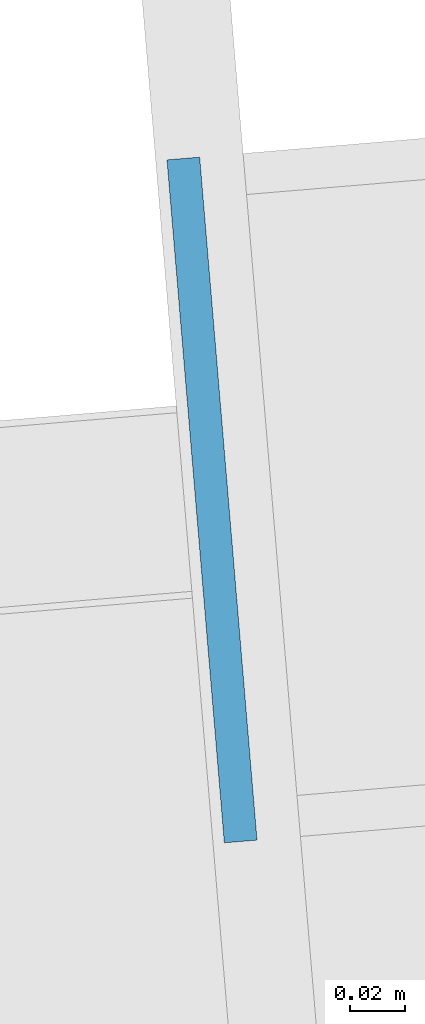
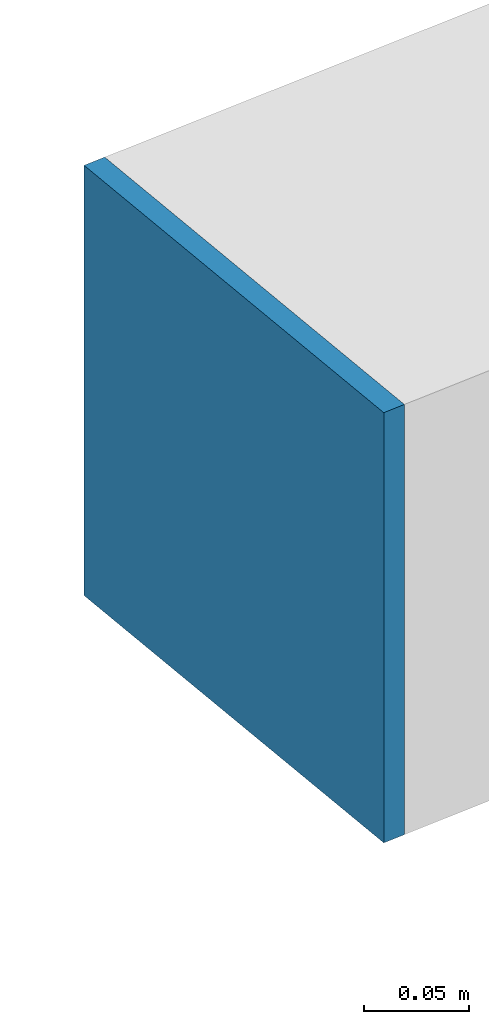
# One storey, part 29 of 37: 1 plate.
"""IFC4 building model written with IfcOpenShell, lengths in metres."""

from ifc_helpers import new_model, si_unit, direction, frame, origin, origin_2d, place, context, subcontext, project, spatial, rectangle, extrude, source, transform, mapped, material, layer, layer_set, type_object, element, save


model = new_model("IFC4")

# Units and contexts
model_context = context("Model", 3, precision=1e-05, world=origin(), true_north=direction((0.0, 1.0)))
body_context = subcontext(model_context, "Body", "Model", "MODEL_VIEW")
ifc_project = project(units=[si_unit("LENGTHUNIT", "METRE"), si_unit("AREAUNIT", "SQUARE_METRE"), si_unit("VOLUMEUNIT", "CUBIC_METRE"), si_unit("PLANEANGLEUNIT", "RADIAN"), si_unit("MASSUNIT", "GRAM", prefix="KILO")], contexts=[model_context])

# Site, building, storey
site_placement = place(None, origin())
site = spatial("IfcSite", under=ifc_project, at=site_placement, CompositionType="ELEMENT")
building_placement = place(site_placement, origin())
building = spatial("IfcBuilding", under=site, at=building_placement, Name="Taldren Reach Tower", CompositionType="ELEMENT")
storey_placement = place(building_placement, frame((0.0, 0.0, 200.89990234375)))
storey = spatial("IfcBuildingStorey", under=building, at=storey_placement, Name="L61", CompositionType="ELEMENT", Elevation=200.89990234375)

# Plate
ifc_material = material(Name="Steel Gr 350 (C350L0)", Category="steel")
ifc_layer = layer(ifc_material, 0.011962890625)
ifc_layer_set = layer_set([ifc_layer], Name="Steel Gr 350 (C350L0)")
plate_type = type_object("IfcPlateType", Name="PL-CAP-250", PredefinedType="SHEET", material=ifc_layer_set)
shared_shape = source(origin(), body_context, "Body", "SweptSolid", [
    extrude(rectangle(XDim=0.011962890625, YDim=0.25, at=origin_2d()), origin(), (0.0, 0.0, 1.0), 0.25),
])
plate_placement = place(storey_placement, frame((11.011474609375, 29.55224609375, 0.09521484375), z_axis=(0.0, 0.0, 1.0), x_axis=(0.99649285925, 0.083677843332, 0.0)))
element("IfcPlate", 1, at=plate_placement, inside=storey, type_object=plate_type, Name="Tie strut end cap plate B4-W3 L61", PredefinedType="SHEET", context=body_context, shape_type="MappedRepresentation", body=[
    mapped(shared_shape, transform((0.0, 0.0, 0.0), scale=1.0)),
])

save(model, "model.ifc")
